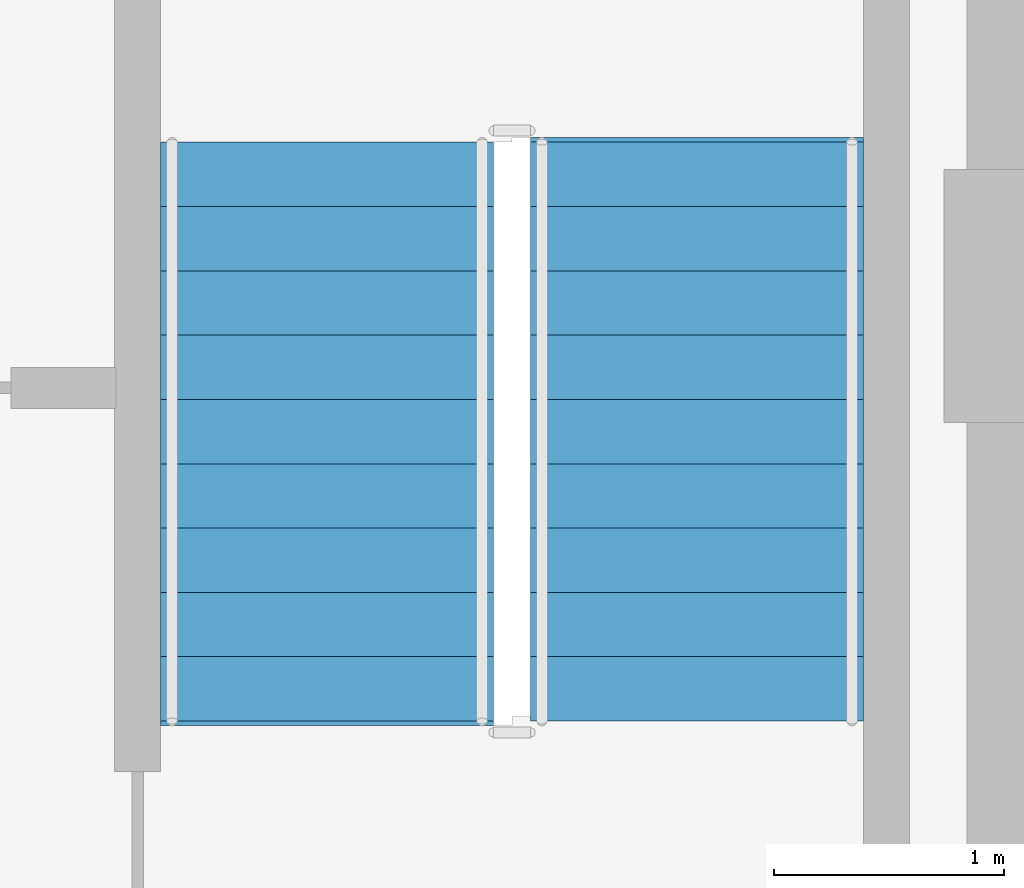
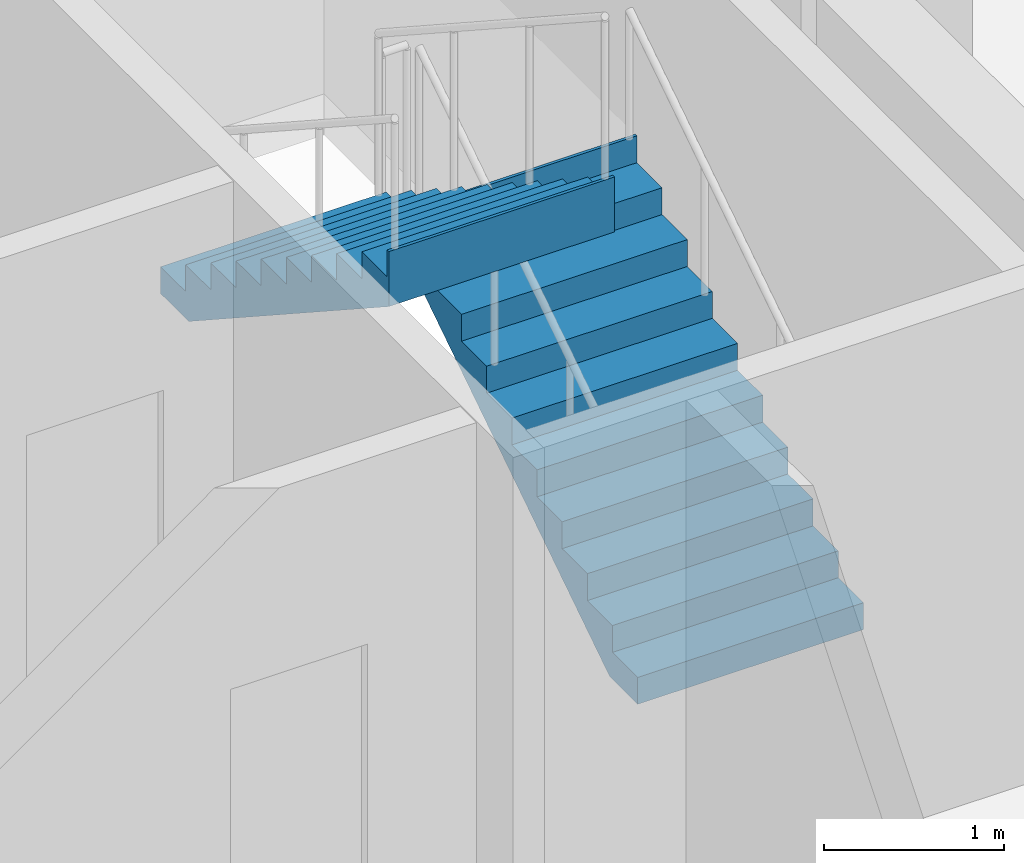
# One storey, part 10 of 14: 2 stair flights, 1 element without a shape of its own.
"""IFC4 building model written with IfcOpenShell, lengths in metres."""

from ifc_helpers import new_model, si_unit, direction, frame, origin, place, context, subcontext, project, spatial, polyline, outline, extrude, material, type_object, element, aggregate, save


model = new_model("IFC4")

# Units and contexts
model_context = context("Model", 3, precision=1e-05, world=origin(), true_north=direction((0.0, 1.0)))
body_context = subcontext(model_context, "Body", "Model", "MODEL_VIEW")
ifc_project = project(units=[si_unit("LENGTHUNIT", "METRE"), si_unit("AREAUNIT", "SQUARE_METRE"), si_unit("VOLUMEUNIT", "CUBIC_METRE"), si_unit("PLANEANGLEUNIT", "RADIAN"), si_unit("MASSUNIT", "GRAM", prefix="KILO")], contexts=[model_context])

# Site, building, storey
site_placement = place(None, origin())
site = spatial("IfcSite", under=ifc_project, at=site_placement, CompositionType="ELEMENT")
building_placement = place(site_placement, origin())
building = spatial("IfcBuilding", under=site, at=building_placement, Name="Nuvemarco Arch Tower", CompositionType="ELEMENT")
storey_placement = place(building_placement, frame((0.0, 0.0, 64.10009765625)))
storey = spatial("IfcBuildingStorey", under=building, at=storey_placement, Name="L16", CompositionType="ELEMENT", Elevation=64.10009765625)

# Stair, stair flights
ifc_material = material(Name="Precast concrete C45/55", Category="concrete")
stair_type = type_object("IfcStairType", Name="ST-CORE-20R", PredefinedType="HALF_TURN_STAIR", material=ifc_material)
stair_placement = place(storey_placement, origin())
stair = element("IfcStair", 1, at=stair_placement, inside=storey, type_object=stair_type, Name="L16 Protected Exit Stair ST-2", PredefinedType="HALF_TURN_STAIR")
stair_flight_type = type_object("IfcStairFlightType", Name="SF-CORE-20R", PredefinedType="STRAIGHT", material=ifc_material)
stair_flight_1_placement = place(storey_placement, frame((15.875, 2.64990234375, 0.0), z_axis=(0.0, 0.0, 1.0), x_axis=(0.0, 1.0, 0.0)))
stair_flight_1 = element("IfcStairFlight", 2, at=stair_flight_1_placement, type_object=stair_flight_type, Name="ST-20R flight 1", NumberOfRisers=10, NumberOfTreads=9, PredefinedType="STRAIGHT", RiserHeight=0.1825, TreadLength=0.28, context=body_context, shape_type="SweptSolid", body=[
    extrude(outline(polyline([(0.0, 0.0), (0.0, 0.1826171875), (0.280029296875, 0.1826171875), (0.280029296875, 0.364990234375), (0.56005859375, 0.364990234375), (0.56005859375, 0.547607421875), (0.840087890625, 0.547607421875), (0.840087890625, 0.72998046875), (1.1201171875, 0.72998046875), (1.1201171875, 0.91259765625), (1.39990234375, 0.91259765625), (1.39990234375, 1.094970703125), (1.679931640625, 1.094970703125), (1.679931640625, 1.277587890625), (1.9599609375, 1.277587890625), (1.9599609375, 1.4599609375), (2.239990234375, 1.4599609375), (2.239990234375, 1.642578125), (2.52001953125, 1.642578125), (2.52001953125, 1.824951171875), (2.5400390625, 1.824951171875), (2.5400390625, 1.45166015625), (0.312744140625, 0.0), (0.0, 0.0)])), frame((0.0, 0.72509765625, 0.0), z_axis=(0.0, -1.0, 0.0), x_axis=(1.0, 0.0, 0.0)), (0.0, 0.0, 1.0), 1.449951171875),
])
stair_flight_2_placement = place(storey_placement, frame((14.264892578125, 5.169921875, 1.824951171875), z_axis=(0.0, 0.0, 1.0), x_axis=(0.0, -1.0, 0.0)))
stair_flight_2 = element("IfcStairFlight", 3, at=stair_flight_2_placement, type_object=stair_flight_type, Name="ST-20R flight 2", NumberOfRisers=10, NumberOfTreads=9, PredefinedType="STRAIGHT", RiserHeight=0.1825, TreadLength=0.28, context=body_context, shape_type="SweptSolid", body=[
    extrude(outline(polyline([(0.0, 0.0), (0.0, 0.1826171875), (0.280029296875, 0.1826171875), (0.280029296875, 0.364990234375), (0.56005859375, 0.364990234375), (0.56005859375, 0.547607421875), (0.840087890625, 0.547607421875), (0.840087890625, 0.72998046875), (1.1201171875, 0.72998046875), (1.1201171875, 0.91259765625), (1.39990234375, 0.91259765625), (1.39990234375, 1.094970703125), (1.679931640625, 1.094970703125), (1.679931640625, 1.277587890625), (1.9599609375, 1.277587890625), (1.9599609375, 1.4599609375), (2.239990234375, 1.4599609375), (2.239990234375, 1.642578125), (2.52001953125, 1.642578125), (2.52001953125, 1.824951171875), (2.5400390625, 1.824951171875), (2.5400390625, 1.45166015625), (0.312744140625, 0.0), (0.0, 0.0)])), frame((0.0, 0.72509765625, 0.0), z_axis=(0.0, -1.0, 0.0), x_axis=(1.0, 0.0, 0.0)), (0.0, 0.0, 1.0), 1.449951171875),
])
aggregate(stair, [stair_flight_1, stair_flight_2])

save(model, "model.ifc")
